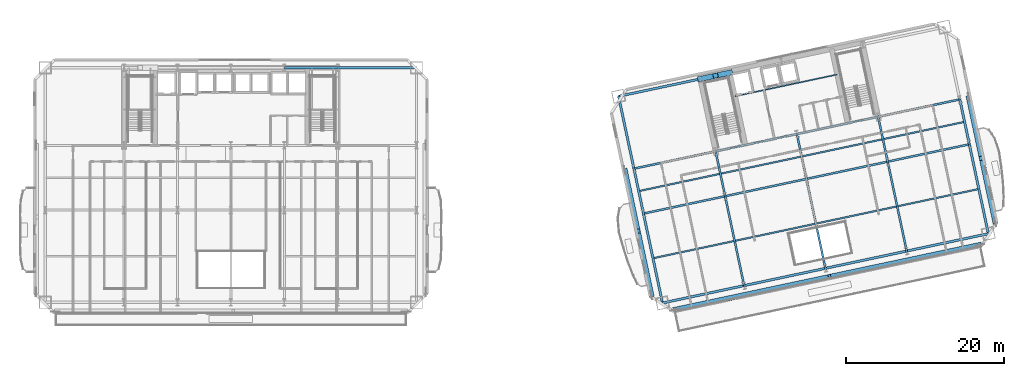
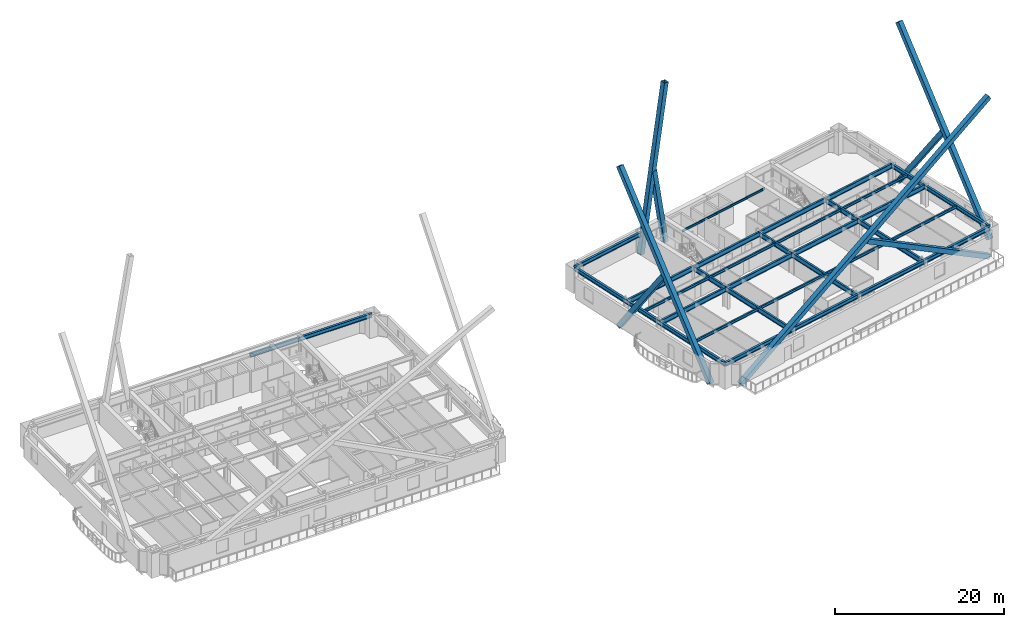
# One storey, part 5 of 22: 35 beams, 8 members.
"""IFC4 building model written with IfcOpenShell, lengths in metres."""

from ifc_helpers import new_model, si_unit, direction, frame, origin, origin_2d, place, context, subcontext, project, spatial, hollow_rectangle, i_section, extrude, material, material_profile, profile_set, type_object, element, save


model = new_model("IFC4")

# Units and contexts
model_context = context("Model", 3, precision=1e-05, world=origin(), true_north=direction((0.0, 1.0)))
body_context = subcontext(model_context, "Body", "Model", "MODEL_VIEW")
ifc_project = project(units=[si_unit("LENGTHUNIT", "METRE"), si_unit("AREAUNIT", "SQUARE_METRE"), si_unit("VOLUMEUNIT", "CUBIC_METRE"), si_unit("PLANEANGLEUNIT", "RADIAN"), si_unit("MASSUNIT", "GRAM", prefix="KILO")], contexts=[model_context])

# Site, building, storey
site_placement = place(None, origin())
site = spatial("IfcSite", under=ifc_project, at=site_placement, CompositionType="ELEMENT")
building_placement = place(site_placement, origin())
building = spatial("IfcBuilding", under=site, at=building_placement, Name="Haevon Station Towers", CompositionType="ELEMENT")
storey_placement = place(building_placement, frame((0.0, 0.0, 70.199951171875)))
storey = spatial("IfcBuildingStorey", under=building, at=storey_placement, Name="L18", CompositionType="ELEMENT", Elevation=70.199951171875)

# Beams
ifc_material_1 = material(Name="Steel S355", Category="steel")
ifc_material_profile_1 = material_profile(ifc_material_1, i_section(OverallWidth=0.25, OverallDepth=0.699951171875, WebThickness=0.012939453125, FlangeThickness=0.02392578125, at=origin_2d()), Name="H-700x250x13x24")
ifc_profile_set_1 = profile_set([ifc_material_profile_1], Name="Steel S355")
beam_type_1 = type_object("IfcBeamType", Name="BM-G700", PredefinedType="BEAM", material=ifc_profile_set_1)
beam_1_placement = place(storey_placement, frame((89.638671875, 29.57568359375, 2.699951171875), z_axis=(0.978150204601, 0.207899440208, 0.0), x_axis=(-0.207899440208, 0.978150204601, 0.0)))
element("IfcBeam", 1, at=beam_1_placement, inside=storey, type_object=beam_type_1, Name="BM-T2U-L18-02-01", PredefinedType="BEAM", context=body_context, shape_type="SweptSolid", body=[
    extrude(i_section(OverallWidth=0.25, OverallDepth=0.699951171875, WebThickness=0.012939453125, FlangeThickness=0.02392578125, at=origin_2d()), origin(), (0.0, 0.0, 1.0), 10.550048828125),
])
for number, where, z_axis, x_axis, name in (
    (2, (99.958251953125, 31.76904296875, 2.699951171875), (0.978146794194, 0.207915485254, 0.0), (-0.207915485254, 0.978146794194, 0.0), "BM-T2U-L18-02-02"),
    (3, (110.228759765625, 33.9521484375, 2.699951171875), (0.978146794194, 0.207915485254, 0.0), (-0.207915485254, 0.978146794194, 0.0), "BM-T2U-L18-02-03"),
):
    element("IfcBeam", number, at=place(storey_placement, frame(where, z_axis=z_axis, x_axis=x_axis)), inside=storey, type_object=beam_type_1, Name=name, PredefinedType="BEAM", context=body_context, shape_type="SweptSolid", body=[
        extrude(i_section(OverallWidth=0.25, OverallDepth=0.699951171875, WebThickness=0.012939453125, FlangeThickness=0.02392578125, at=origin_2d()), origin(), (0.0, 0.0, 1.0), 10.5),
    ])
for number, where, z_axis, x_axis, name in (
    (4, (120.499267578125, 36.13525390625, 2.699951171875), (0.978145498476, 0.207921580918, 0.0), (-0.207921580918, 0.978145498476, 0.0), "BM-T2U-L18-02-04"),
    (5, (88.432861328125, 35.2490234375, 2.699951171875), (0.978150204601, 0.207899440208, 0.0), (-0.207899440208, 0.978150204601, 0.0), "BM-T2U-L18-03-01"),
):
    element("IfcBeam", number, at=place(storey_placement, frame(where, z_axis=z_axis, x_axis=x_axis)), inside=storey, type_object=beam_type_1, Name=name, PredefinedType="BEAM", context=body_context, shape_type="SweptSolid", body=[
        extrude(i_section(OverallWidth=0.25, OverallDepth=0.699951171875, WebThickness=0.012939453125, FlangeThickness=0.02392578125, at=origin_2d()), origin(), (0.0, 0.0, 1.0), 10.550048828125),
    ])
for number, where, z_axis, x_axis, name in (
    (6, (98.75244140625, 37.4423828125, 2.699951171875), (0.978146794194, 0.207915485254, 0.0), (-0.207915485254, 0.978146794194, 0.0), "BM-T2U-L18-03-02"),
    (7, (109.02294921875, 39.62548828125, 2.699951171875), (0.978146794194, 0.207915485254, 0.0), (-0.207915485254, 0.978146794194, 0.0), "BM-T2U-L18-03-03"),
):
    element("IfcBeam", number, at=place(storey_placement, frame(where, z_axis=z_axis, x_axis=x_axis)), inside=storey, type_object=beam_type_1, Name=name, PredefinedType="BEAM", context=body_context, shape_type="SweptSolid", body=[
        extrude(i_section(OverallWidth=0.25, OverallDepth=0.699951171875, WebThickness=0.012939453125, FlangeThickness=0.02392578125, at=origin_2d()), origin(), (0.0, 0.0, 1.0), 10.5),
    ])
beam_2_placement = place(storey_placement, frame((119.29345703125, 41.80859375, 2.699951171875), z_axis=(0.978149204359, 0.207904146209, 0.0), x_axis=(-0.207904146209, 0.978149204359, 0.0)))
element("IfcBeam", 8, at=beam_2_placement, inside=storey, type_object=beam_type_1, Name="BM-T2U-L18-03-04", PredefinedType="BEAM", context=body_context, shape_type="SweptSolid", body=[
    extrude(i_section(OverallWidth=0.25, OverallDepth=0.699951171875, WebThickness=0.012939453125, FlangeThickness=0.02392578125, at=origin_2d()), origin(), (0.0, 0.0, 1.0), 10.5498046875),
])
beam_3_placement = place(storey_placement, frame((102.359619140625, 20.471435546875, 2.699951171875), z_axis=(-0.207910580697, 0.978147836697, 0.0), x_axis=(-0.978147836697, -0.207910580697, 0.0)))
element("IfcBeam", 9, at=beam_3_placement, inside=storey, type_object=beam_type_1, Name="BM-T2V-L18-02-01", PredefinedType="BEAM", context=body_context, shape_type="SweptSolid", body=[
    extrude(i_section(OverallWidth=0.25, OverallDepth=0.699951171875, WebThickness=0.012939453125, FlangeThickness=0.02392578125, at=origin_2d()), origin(), (0.0, 0.0, 1.0), 11.550048828125),
])
beam_4_placement = place(storey_placement, frame((99.958251953125, 31.76904296875, 2.699951171875), z_axis=(-0.207896009217, 0.97815093383, 0.0), x_axis=(-0.97815093383, -0.207896009217, 0.0)))
element("IfcBeam", 10, at=beam_4_placement, inside=storey, type_object=beam_type_1, Name="BM-T2V-L18-02-02", PredefinedType="BEAM", context=body_context, shape_type="SweptSolid", body=[
    extrude(i_section(OverallWidth=0.25, OverallDepth=0.699951171875, WebThickness=0.012939453125, FlangeThickness=0.02392578125, at=origin_2d()), origin(), (0.0, 0.0, 1.0), 5.800048828125),
])
beam_5_placement = place(storey_placement, frame((112.630126953125, 22.654541015625, 2.699951171875), z_axis=(-0.207910580697, 0.978147836697, 0.0), x_axis=(-0.978147836697, -0.207910580697, 0.0)))
element("IfcBeam", 11, at=beam_5_placement, inside=storey, type_object=beam_type_1, Name="BM-T2V-L18-03-01", PredefinedType="BEAM", context=body_context, shape_type="SweptSolid", body=[
    extrude(i_section(OverallWidth=0.25, OverallDepth=0.699951171875, WebThickness=0.012939453125, FlangeThickness=0.02392578125, at=origin_2d()), origin(), (0.0, 0.0, 1.0), 11.550048828125),
])
beam_6_placement = place(storey_placement, frame((110.228759765625, 33.9521484375, 2.699951171875), z_axis=(-0.207896009217, 0.97815093383, 0.0), x_axis=(-0.97815093383, -0.207896009217, 0.0)))
element("IfcBeam", 12, at=beam_6_placement, inside=storey, type_object=beam_type_1, Name="BM-T2V-L18-03-02", PredefinedType="BEAM", context=body_context, shape_type="SweptSolid", body=[
    extrude(i_section(OverallWidth=0.25, OverallDepth=0.699951171875, WebThickness=0.012939453125, FlangeThickness=0.02392578125, at=origin_2d()), origin(), (0.0, 0.0, 1.0), 5.800048828125),
])
beam_7_placement = place(storey_placement, frame((122.900634765625, 24.837646484375, 2.699951171875), z_axis=(-0.207910580697, 0.978147836697, 0.0), x_axis=(-0.978147836697, -0.207910580697, 0.0)))
element("IfcBeam", 13, at=beam_7_placement, inside=storey, type_object=beam_type_1, Name="BM-T2V-L18-04-01", PredefinedType="BEAM", context=body_context, shape_type="SweptSolid", body=[
    extrude(i_section(OverallWidth=0.25, OverallDepth=0.699951171875, WebThickness=0.012939453125, FlangeThickness=0.02392578125, at=origin_2d()), origin(), (0.0, 0.0, 1.0), 11.550048828125),
])
beam_8_placement = place(storey_placement, frame((120.499267578125, 36.13525390625, 2.699951171875), z_axis=(-0.207896009217, 0.97815093383, 0.0), x_axis=(-0.97815093383, -0.207896009217, 0.0)))
element("IfcBeam", 14, at=beam_8_placement, inside=storey, type_object=beam_type_1, Name="BM-T2V-L18-04-02", PredefinedType="BEAM", context=body_context, shape_type="SweptSolid", body=[
    extrude(i_section(OverallWidth=0.25, OverallDepth=0.699951171875, WebThickness=0.012939453125, FlangeThickness=0.02392578125, at=origin_2d()), origin(), (0.0, 0.0, 1.0), 5.800048828125),
])
ifc_material_profile_2 = material_profile(ifc_material_1, i_section(OverallWidth=0.199951171875, OverallDepth=0.39990234375, WebThickness=0.008056640625, FlangeThickness=0.012939453125, at=origin_2d()), Name="H-400x200x8x13")
ifc_profile_set_2 = profile_set([ifc_material_profile_2], Name="Steel S355")
beam_type_2 = type_object("IfcBeamType", Name="BM-J400", PredefinedType="JOIST", material=ifc_profile_set_2)
beam_9_placement = place(storey_placement, frame((90.947021484375, 23.94970703125, 2.85009765625), z_axis=(0.978147977643, 0.207909917591, 0.0), x_axis=(-0.207909917591, 0.978147977643, 0.0)))
element("IfcBeam", 15, at=beam_9_placement, inside=storey, type_object=beam_type_2, Name="BM-T2J-L18-01-01", PredefinedType="JOIST", context=body_context, shape_type="SweptSolid", body=[
    extrude(i_section(OverallWidth=0.199951171875, OverallDepth=0.39990234375, WebThickness=0.008056640625, FlangeThickness=0.012939453125, at=origin_2d()), origin(), (0.0, 0.0, 1.0), 10.330078125),
])
beam_10_placement = place(storey_placement, frame((101.2666015625, 26.143310546875, 2.85009765625), z_axis=(0.978149313139, 0.20790363442, 0.0), x_axis=(-0.20790363442, 0.978149313139, 0.0)))
element("IfcBeam", 16, at=beam_10_placement, inside=storey, type_object=beam_type_2, Name="BM-T2J-L18-01-02", PredefinedType="JOIST", context=body_context, shape_type="SweptSolid", body=[
    extrude(i_section(OverallWidth=0.199951171875, OverallDepth=0.39990234375, WebThickness=0.008056640625, FlangeThickness=0.012939453125, at=origin_2d()), origin(), (0.0, 0.0, 1.0), 10.27978515625),
])
beam_11_placement = place(storey_placement, frame((111.537109375, 28.326416015625, 2.85009765625), z_axis=(0.978150339653, 0.207898804801, 0.0), x_axis=(-0.207898804801, 0.978150339653, 0.0)))
element("IfcBeam", 17, at=beam_11_placement, inside=storey, type_object=beam_type_2, Name="BM-T2J-L18-01-03", PredefinedType="JOIST", context=body_context, shape_type="SweptSolid", body=[
    extrude(i_section(OverallWidth=0.199951171875, OverallDepth=0.39990234375, WebThickness=0.008056640625, FlangeThickness=0.012939453125, at=origin_2d()), origin(), (0.0, 0.0, 1.0), 10.280029296875),
])
for number, where, z_axis, x_axis, name in (
    (18, (121.8076171875, 30.50927734375, 2.85009765625), (0.978147977643, 0.207909917591, 0.0), (-0.207909917591, 0.978147977643, 0.0), "BM-T2J-L18-01-04"),
    (19, (89.1435546875, 32.435302734375, 2.85009765625), (0.978147977643, 0.207909917591, 0.0), (-0.207909917591, 0.978147977643, 0.0), "BM-T2J-L18-02-01"),
):
    element("IfcBeam", number, at=place(storey_placement, frame(where, z_axis=z_axis, x_axis=x_axis)), inside=storey, type_object=beam_type_2, Name=name, PredefinedType="JOIST", context=body_context, shape_type="SweptSolid", body=[
        extrude(i_section(OverallWidth=0.199951171875, OverallDepth=0.39990234375, WebThickness=0.008056640625, FlangeThickness=0.012939453125, at=origin_2d()), origin(), (0.0, 0.0, 1.0), 10.330078125),
    ])
for number, where, z_axis, x_axis, name in (
    (20, (99.462890625, 34.628662109375, 2.85009765625), (0.978150339653, 0.207898804801, 0.0), (-0.207898804801, 0.978150339653, 0.0), "BM-T2J-L18-02-02"),
    (21, (109.7333984375, 36.811767578125, 2.85009765625), (0.978150339653, 0.207898804801, 0.0), (-0.207898804801, 0.978150339653, 0.0), "BM-T2J-L18-02-03"),
):
    element("IfcBeam", number, at=place(storey_placement, frame(where, z_axis=z_axis, x_axis=x_axis)), inside=storey, type_object=beam_type_2, Name=name, PredefinedType="JOIST", context=body_context, shape_type="SweptSolid", body=[
        extrude(i_section(OverallWidth=0.199951171875, OverallDepth=0.39990234375, WebThickness=0.008056640625, FlangeThickness=0.012939453125, at=origin_2d()), origin(), (0.0, 0.0, 1.0), 10.280029296875),
    ])
beam_12_placement = place(storey_placement, frame((120.00390625, 38.994873046875, 2.85009765625), z_axis=(0.978147977643, 0.207909917591, 0.0), x_axis=(-0.207909917591, 0.978147977643, 0.0)))
element("IfcBeam", 22, at=beam_12_placement, inside=storey, type_object=beam_type_2, Name="BM-T2J-L18-02-04", PredefinedType="JOIST", context=body_context, shape_type="SweptSolid", body=[
    extrude(i_section(OverallWidth=0.199951171875, OverallDepth=0.39990234375, WebThickness=0.008056640625, FlangeThickness=0.012939453125, at=origin_2d()), origin(), (0.0, 0.0, 1.0), 10.330078125),
])
ifc_material_profile_3 = material_profile(ifc_material_1, i_section(OverallWidth=0.14990234375, OverallDepth=0.300048828125, WebThickness=0.006591796875, FlangeThickness=0.009033203125, at=origin_2d()), Name="H-300x150x6.5x9")
ifc_profile_set_3 = profile_set([ifc_material_profile_3], Name="Steel S355")
beam_type_3 = type_object("IfcBeamType", Name="BM-LIN300", PredefinedType="LINTEL", material=ifc_profile_set_3)
beam_13_placement = place(storey_placement, frame((101.20849609375, 44.4052734375, 2.900146484375), z_axis=(0.978147802964, 0.207910739399, 0.0), x_axis=(-0.207910739399, 0.978147802964, 0.0)))
element("IfcBeam", 23, at=beam_13_placement, inside=storey, type_object=beam_type_3, Name="BM-T2LIN-L18", PredefinedType="LINTEL", context=body_context, shape_type="SweptSolid", body=[
    extrude(i_section(OverallWidth=0.14990234375, OverallDepth=0.300048828125, WebThickness=0.006591796875, FlangeThickness=0.009033203125, at=origin_2d()), origin(), (0.0, 0.0, 1.0), 13.19970703125),
])
ifc_material_profile_4 = material_profile(ifc_material_1, i_section(OverallWidth=0.300048828125, OverallDepth=0.587890625, WebThickness=0.011962890625, FlangeThickness=0.02001953125, at=origin_2d()), Name="H-588x300x12x20")
ifc_profile_set_4 = profile_set([ifc_material_profile_4], Name="Steel S355")
beam_type_4 = type_object("IfcBeamType", Name="BM-SP588", PredefinedType="SPANDREL", material=ifc_profile_set_4)
beam_14_placement = place(storey_placement, frame((44.25, 48.0, 2.756103515625), z_axis=(1.0, 0.0, 0.0), x_axis=(0.0, 1.0, 0.0)))
element("IfcBeam", 24, at=beam_14_placement, inside=storey, type_object=beam_type_4, Name="BM-T1U-L18-04-05", PredefinedType="SPANDREL", context=body_context, shape_type="SweptSolid", body=[
    extrude(i_section(OverallWidth=0.300048828125, OverallDepth=0.587890625, WebThickness=0.011962890625, FlangeThickness=0.02001953125, at=origin_2d()), origin(), (0.0, 0.0, 1.0), 6.75),
])
beam_15_placement = place(storey_placement, frame((51.0, 48.0, 2.756103515625), z_axis=(1.0, 0.0, 0.0), x_axis=(0.0, 1.0, 0.0)))
element("IfcBeam", 25, at=beam_15_placement, inside=storey, type_object=beam_type_4, Name="BM-T1U-L18-04-06", PredefinedType="SPANDREL", context=body_context, shape_type="SweptSolid", body=[
    extrude(i_section(OverallWidth=0.300048828125, OverallDepth=0.587890625, WebThickness=0.011962890625, FlangeThickness=0.02001953125, at=origin_2d()), origin(), (0.0, 0.0, 1.0), 9.949951171875),
])
beam_16_placement = place(storey_placement, frame((92.040283203125, 18.278076171875, 2.756103515625), z_axis=(0.978149204359, 0.207904146209, 0.0), x_axis=(-0.207904146209, 0.978149204359, 0.0)))
element("IfcBeam", 26, at=beam_16_placement, inside=storey, type_object=beam_type_4, Name="BM-T2U-L18-01-01", PredefinedType="SPANDREL", context=body_context, shape_type="SweptSolid", body=[
    extrude(i_section(OverallWidth=0.300048828125, OverallDepth=0.587890625, WebThickness=0.011962890625, FlangeThickness=0.02001953125, at=origin_2d()), origin(), (0.0, 0.0, 1.0), 10.5498046875),
])
for number, where, z_axis, x_axis, name in (
    (27, (102.359619140625, 20.471435546875, 2.756103515625), (0.978146794194, 0.207915485254, 0.0), (-0.207915485254, 0.978146794194, 0.0), "BM-T2U-L18-01-02"),
    (28, (112.630126953125, 22.654541015625, 2.756103515625), (0.978146794194, 0.207915485254, 0.0), (-0.207915485254, 0.978146794194, 0.0), "BM-T2U-L18-01-03"),
):
    element("IfcBeam", number, at=place(storey_placement, frame(where, z_axis=z_axis, x_axis=x_axis)), inside=storey, type_object=beam_type_4, Name=name, PredefinedType="SPANDREL", context=body_context, shape_type="SweptSolid", body=[
        extrude(i_section(OverallWidth=0.300048828125, OverallDepth=0.587890625, WebThickness=0.011962890625, FlangeThickness=0.02001953125, at=origin_2d()), origin(), (0.0, 0.0, 1.0), 10.5),
    ])
beam_17_placement = place(storey_placement, frame((122.900634765625, 24.837646484375, 2.756103515625), z_axis=(0.978145498476, 0.207921580918, 0.0), x_axis=(-0.207921580918, 0.978145498476, 0.0)))
element("IfcBeam", 29, at=beam_17_placement, inside=storey, type_object=beam_type_4, Name="BM-T2U-L18-01-04", PredefinedType="SPANDREL", context=body_context, shape_type="SweptSolid", body=[
    extrude(i_section(OverallWidth=0.300048828125, OverallDepth=0.587890625, WebThickness=0.011962890625, FlangeThickness=0.02001953125, at=origin_2d()), origin(), (0.0, 0.0, 1.0), 10.550048828125),
])
beam_18_placement = place(storey_placement, frame((86.489013671875, 44.39453125, 2.756103515625), z_axis=(0.978144498026, 0.207926287375, 0.0), x_axis=(-0.207926287375, 0.978144498026, 0.0)))
element("IfcBeam", 30, at=beam_18_placement, inside=storey, type_object=beam_type_4, Name="BM-T2U-L18-04-01", PredefinedType="SPANDREL", context=body_context, shape_type="SweptSolid", body=[
    extrude(i_section(OverallWidth=0.300048828125, OverallDepth=0.587890625, WebThickness=0.011962890625, FlangeThickness=0.02001953125, at=origin_2d()), origin(), (0.0, 0.0, 1.0), 10.5498046875),
])
beam_19_placement = place(storey_placement, frame((92.040283203125, 18.278076171875, 2.756103515625), z_axis=(-0.207930804564, 0.978143537786, 0.0), x_axis=(-0.978143537786, -0.207930804564, 0.0)))
element("IfcBeam", 31, at=beam_19_placement, inside=storey, type_object=beam_type_4, Name="BM-T2V-L18-01-01", PredefinedType="SPANDREL", context=body_context, shape_type="SweptSolid", body=[
    extrude(i_section(OverallWidth=0.300048828125, OverallDepth=0.587890625, WebThickness=0.011962890625, FlangeThickness=0.02001953125, at=origin_2d()), origin(), (0.0, 0.0, 1.0), 11.550048828125),
])
beam_20_placement = place(storey_placement, frame((89.638671875, 29.57568359375, 2.756103515625), z_axis=(-0.207896009217, 0.97815093383, 0.0), x_axis=(-0.97815093383, -0.207896009217, 0.0)))
element("IfcBeam", 32, at=beam_20_placement, inside=storey, type_object=beam_type_4, Name="BM-T2V-L18-01-02", PredefinedType="SPANDREL", context=body_context, shape_type="SweptSolid", body=[
    extrude(i_section(OverallWidth=0.300048828125, OverallDepth=0.587890625, WebThickness=0.011962890625, FlangeThickness=0.02001953125, at=origin_2d()), origin(), (0.0, 0.0, 1.0), 5.800048828125),
])
beam_21_placement = place(storey_placement, frame((88.432861328125, 35.2490234375, 2.756103515625), z_axis=(-0.207902477038, 0.978149559138, 0.0), x_axis=(-0.978149559138, -0.207902477038, 0.0)))
element("IfcBeam", 33, at=beam_21_placement, inside=storey, type_object=beam_type_4, Name="BM-T2V-L18-01-03", PredefinedType="SPANDREL", context=body_context, shape_type="SweptSolid", body=[
    extrude(i_section(OverallWidth=0.300048828125, OverallDepth=0.587890625, WebThickness=0.011962890625, FlangeThickness=0.02001953125, at=origin_2d()), origin(), (0.0, 0.0, 1.0), 9.349853515625),
])
beam_22_placement = place(storey_placement, frame((133.22021484375, 27.03125, 2.756103515625), z_axis=(-0.207910580697, 0.978147836697, 0.0), x_axis=(-0.978147836697, -0.207910580697, 0.0)))
element("IfcBeam", 34, at=beam_22_placement, inside=storey, type_object=beam_type_4, Name="BM-T2V-L18-05-01", PredefinedType="SPANDREL", context=body_context, shape_type="SweptSolid", body=[
    extrude(i_section(OverallWidth=0.300048828125, OverallDepth=0.587890625, WebThickness=0.011962890625, FlangeThickness=0.02001953125, at=origin_2d()), origin(), (0.0, 0.0, 1.0), 11.550048828125),
])
beam_23_placement = place(storey_placement, frame((130.81884765625, 38.328857421875, 2.756103515625), z_axis=(-0.207944843707, 0.978140553282, 0.0), x_axis=(-0.978140553282, -0.207944843707, 0.0)))
element("IfcBeam", 35, at=beam_23_placement, inside=storey, type_object=beam_type_4, Name="BM-T2V-L18-05-02", PredefinedType="SPANDREL", context=body_context, shape_type="SweptSolid", body=[
    extrude(i_section(OverallWidth=0.300048828125, OverallDepth=0.587890625, WebThickness=0.011962890625, FlangeThickness=0.02001953125, at=origin_2d()), origin(), (0.0, 0.0, 1.0), 5.7998046875),
])

# Members
ifc_material_2 = material(Name="Steel S460", Category="steel")
ifc_material_profile_5 = material_profile(ifc_material_2, hollow_rectangle(XDim=0.64990234375, YDim=0.64990234375, WallThickness=0.031982421875, at=origin_2d()), Name="RHS-650x650x32")
ifc_profile_set_5 = profile_set([ifc_material_profile_5], Name="Steel S460")
member_type = type_object("IfcMemberType", Name="MB-650", PredefinedType="BRACE", material=ifc_profile_set_5)
member_1_placement = place(storey_placement, frame((93.554931640625, 17.404052734375, -0.119873046875), z_axis=(0.844642279257, 0.179531249737, 0.504329208415), x_axis=(-0.207908356856, 0.978148309383, 0.0)))
element("IfcMember", 36, at=member_1_placement, inside=storey, type_object=member_type, Name="BR-T2MB-T02-S-D1", PredefinedType="BRACE", context=body_context, shape_type="SweptSolid", body=[
    extrude(hollow_rectangle(XDim=0.64990234375, YDim=0.64990234375, WallThickness=0.031982421875, at=origin_2d()), origin(), (0.0, 0.0, 1.0), 45.74365234375),
])
member_2_placement = place(storey_placement, frame((132.19189453125, 25.616455078125, -0.119873046875), z_axis=(-0.84464313358, -0.179528511814, 0.504328752245), x_axis=(0.207905122025, -0.978148996951, 0.0)))
element("IfcMember", 37, at=member_2_placement, inside=storey, type_object=member_type, Name="BR-T2MB-T02-S-D2A", PredefinedType="BRACE", context=body_context, shape_type="SweptSolid", body=[
    extrude(hollow_rectangle(XDim=0.64990234375, YDim=0.64990234375, WallThickness=0.031982421875, at=origin_2d()), origin(), (0.0, 0.0, 1.0), 22.534912109375),
])
member_3_placement = place(storey_placement, frame((96.808349609375, 46.588134765625, -0.119873046875), z_axis=(0.161011135734, 0.034227261852, 0.986358914754), x_axis=(-0.207930804564, 0.978143537786, 0.0)))
element("IfcMember", 38, at=member_3_placement, inside=storey, type_object=member_type, Name="BR-T2MB-T02-N-D1", PredefinedType="BRACE", context=body_context, shape_type="SweptSolid", body=[
    extrude(hollow_rectangle(XDim=0.64990234375, YDim=0.64990234375, WallThickness=0.031982421875, at=origin_2d()), origin(), (0.0, 0.0, 1.0), 23.388916015625),
])
member_4_placement = place(storey_placement, frame((100.57421875, 47.388671875, -0.119873046875), z_axis=(-0.161004071764, -0.034242922072, 0.986359524293), x_axis=(0.20803055644, -0.978122327517, 0.0)))
element("IfcMember", 39, at=member_4_placement, inside=storey, type_object=member_type, Name="BR-T2MB-T02-N-D2A", PredefinedType="BRACE", context=body_context, shape_type="SweptSolid", body=[
    extrude(hollow_rectangle(XDim=0.64990234375, YDim=0.64990234375, WallThickness=0.031982421875, at=origin_2d()), origin(), (0.0, 0.0, 1.0), 11.357666015625),
])
member_5_placement = place(storey_placement, frame((90.62548828125, 19.306396484375, -0.119873046875), z_axis=(-0.11873580845, 0.558617751429, 0.820882461489), x_axis=(-0.978148334325, -0.207908239512, 0.0)))
element("IfcMember", 40, at=member_5_placement, inside=storey, type_object=member_type, Name="BR-T2MB-T02-W-D1", PredefinedType="BRACE", context=body_context, shape_type="SweptSolid", body=[
    extrude(hollow_rectangle(XDim=0.64990234375, YDim=0.64990234375, WallThickness=0.031982421875, at=origin_2d()), origin(), (0.0, 0.0, 1.0), 28.103759765625),
])
member_6_placement = place(storey_placement, frame((87.28857421875, 35.005615234375, -0.119873046875), z_axis=(0.118733714027, -0.558618092937, 0.820882532033), x_axis=(0.978149105981, 0.207904609059, 0.0)))
element("IfcMember", 41, at=member_6_placement, inside=storey, type_object=member_type, Name="BR-T2MB-T02-W-D2A", PredefinedType="BRACE", context=body_context, shape_type="SweptSolid", body=[
    extrude(hollow_rectangle(XDim=0.64990234375, YDim=0.64990234375, WallThickness=0.031982421875, at=origin_2d()), origin(), (0.0, 0.0, 1.0), 13.71484375),
])
member_7_placement = place(storey_placement, frame((134.09423828125, 28.5458984375, -0.119873046875), z_axis=(-0.118735232249, 0.55862372767, 0.820878477917), x_axis=(-0.978148991832, -0.207905146106, 0.0)))
element("IfcMember", 42, at=member_7_placement, inside=storey, type_object=member_type, Name="BR-T2MB-T02-E-D1", PredefinedType="BRACE", context=body_context, shape_type="SweptSolid", body=[
    extrude(hollow_rectangle(XDim=0.64990234375, YDim=0.64990234375, WallThickness=0.031982421875, at=origin_2d()), origin(), (0.0, 0.0, 1.0), 28.103759765625),
])
member_8_placement = place(storey_placement, frame((130.75732421875, 44.245361328125, -0.119873046875), z_axis=(0.118733714027, -0.558618092937, 0.820882532033), x_axis=(0.978149105981, 0.207904609059, 0.0)))
element("IfcMember", 43, at=member_8_placement, inside=storey, type_object=member_type, Name="BR-T2MB-T02-E-D2A", PredefinedType="BRACE", context=body_context, shape_type="SweptSolid", body=[
    extrude(hollow_rectangle(XDim=0.64990234375, YDim=0.64990234375, WallThickness=0.031982421875, at=origin_2d()), origin(), (0.0, 0.0, 1.0), 13.71484375),
])

save(model, "model.ifc")
